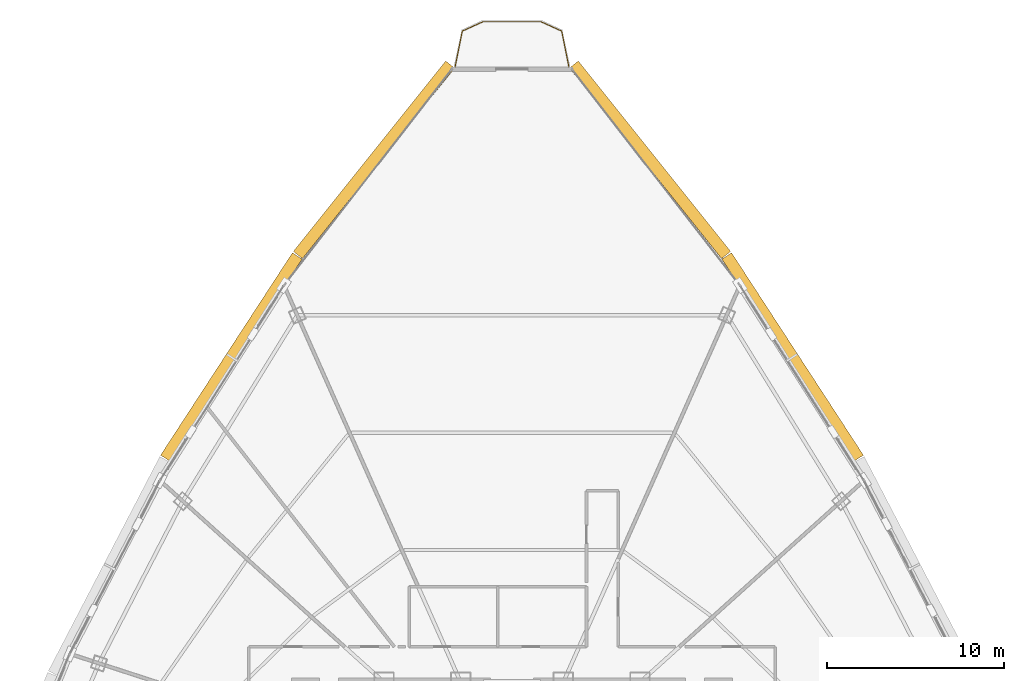
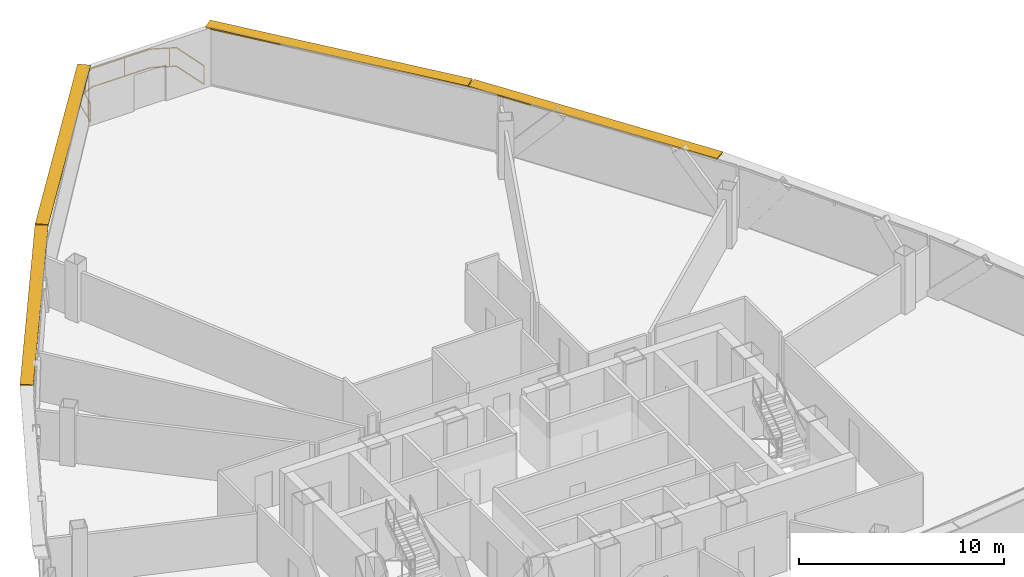
# One storey, part 35 of 35: 4 shading devices, 1 railing.
"""IFC4 building model written with IfcOpenShell, lengths in metres."""

from ifc_helpers import new_model, si_unit, direction, frame, origin, origin_2d, place, context, subcontext, project, spatial, rectangle, extrude, source, transform, mapped, material, layer, layer_set, type_object, element, save


model = new_model("IFC4")

# Units and contexts
model_context = context("Model", 3, precision=1e-05, world=origin(), true_north=direction((0.0, 1.0)))
body_context = subcontext(model_context, "Body", "Model", "MODEL_VIEW")
ifc_project = project(units=[si_unit("LENGTHUNIT", "METRE"), si_unit("AREAUNIT", "SQUARE_METRE"), si_unit("VOLUMEUNIT", "CUBIC_METRE"), si_unit("PLANEANGLEUNIT", "RADIAN"), si_unit("MASSUNIT", "GRAM", prefix="KILO"), si_unit("THERMODYNAMICTEMPERATUREUNIT", "KELVIN"), si_unit("POWERUNIT", "WATT")], contexts=[model_context])

# Site, building, storey
site_placement = place(None, origin())
site = spatial("IfcSite", under=ifc_project, at=site_placement, CompositionType="ELEMENT")
building_placement = place(site_placement, origin())
building = spatial("IfcBuilding", under=site, at=building_placement, Name="Yunzhuo Pagoda Commons", CompositionType="ELEMENT")
storey_placement = place(building_placement, frame((0.0, 0.0, 303.669921875)))
storey = spatial("IfcBuildingStorey", under=building, at=storey_placement, Name="L76", CompositionType="ELEMENT", Elevation=303.669921875)

# Railing
ifc_material = material(Name="Anodized aluminium 6063-T6", Category="aluminium")
railing_type = type_object("IfcRailingType", Name="RL-BAL1 Exterior Terrace & Balcony Balustrade 1150", PredefinedType="BALUSTRADE", material=ifc_material)
railing_placement = place(storey_placement, frame((51.207763671875, 74.918212890625, 0.0)))
element("IfcRailing", 1, at=railing_placement, inside=storey, type_object=railing_type, Name="L76 corner balcony balustrade V3", PredefinedType="BALUSTRADE", context=body_context, shape_type="SweptSolid", body=[
    extrude(rectangle(XDim=0.048095703125, YDim=0.048095703125, at=origin_2d()), frame((0.0, 0.0, 1.1259765625), z_axis=(-0.194223156668, 0.980957371864, 0.0), x_axis=(-0.980957371864, -0.194223156668, 0.0)), (0.0, 0.0, 1.0), 2.05908203125),
    extrude(rectangle(XDim=0.048095703125, YDim=0.048095703125, at=origin_2d()), frame((0.0, 0.0, 0.02392578125), z_axis=(-0.194223156668, 0.980957371864, 0.0), x_axis=(-0.980957371864, -0.194223156668, 0.0)), (0.0, 0.0, 1.0), 2.05908203125),
    extrude(rectangle(XDim=0.048095703125, YDim=0.048095703125, at=origin_2d()), frame((-0.39990234375, 2.019775390625, 1.1259765625), z_axis=(-0.910098275253, 0.414392482293, 0.0), x_axis=(-0.414392482293, -0.910098275253, 0.0)), (0.0, 0.0, 1.0), 1.279052734375),
    extrude(rectangle(XDim=0.048095703125, YDim=0.048095703125, at=origin_2d()), frame((-0.39990234375, 2.019775390625, 0.02392578125), z_axis=(-0.910098275253, 0.414392482293, 0.0), x_axis=(-0.414392482293, -0.910098275253, 0.0)), (0.0, 0.0, 1.0), 1.279052734375),
    extrude(rectangle(XDim=0.048095703125, YDim=0.048095703125, at=origin_2d()), frame((-1.56396484375, 2.5498046875, 1.1259765625), z_axis=(-1.0, 0.0, 0.0), x_axis=(0.0, -1.0, 0.0)), (0.0, 0.0, 1.0), 3.28759765625),
    extrude(rectangle(XDim=0.048095703125, YDim=0.048095703125, at=origin_2d()), frame((-1.56396484375, 2.5498046875, 0.02392578125), z_axis=(-1.0, 0.0, 0.0), x_axis=(0.0, -1.0, 0.0)), (0.0, 0.0, 1.0), 3.28759765625),
    extrude(rectangle(XDim=0.048095703125, YDim=0.048095703125, at=origin_2d()), frame((-4.8515625, 2.5498046875, 1.1259765625), z_axis=(-0.910098275253, -0.414392482293, 0.0), x_axis=(0.414392482293, -0.910098275253, 0.0)), (0.0, 0.0, 1.0), 1.279052734375),
    extrude(rectangle(XDim=0.048095703125, YDim=0.048095703125, at=origin_2d()), frame((-4.8515625, 2.5498046875, 0.02392578125), z_axis=(-0.910098275253, -0.414392482293, 0.0), x_axis=(0.414392482293, -0.910098275253, 0.0)), (0.0, 0.0, 1.0), 1.279052734375),
    extrude(rectangle(XDim=0.048095703125, YDim=0.048095703125, at=origin_2d()), frame((-6.015625, 2.019775390625, 1.1259765625), z_axis=(-0.194223156668, -0.980957371864, 0.0), x_axis=(0.980957371864, -0.194223156668, 0.0)), (0.0, 0.0, 1.0), 2.05908203125),
    extrude(rectangle(XDim=0.048095703125, YDim=0.048095703125, at=origin_2d()), frame((-6.015625, 2.019775390625, 0.02392578125), z_axis=(-0.194223156668, -0.980957371864, 0.0), x_axis=(0.980957371864, -0.194223156668, 0.0)), (0.0, 0.0, 1.0), 2.05908203125),
    extrude(rectangle(XDim=0.0419921875, YDim=0.0419921875, at=origin_2d()), origin(), (0.0, 0.0, 1.0), 1.101806640625),
    extrude(rectangle(XDim=0.0419921875, YDim=0.0419921875, at=origin_2d()), frame((-0.710205078125, 2.1611328125, 0.0)), (0.0, 0.0, 1.0), 1.101806640625),
    extrude(rectangle(XDim=0.0419921875, YDim=0.0419921875, at=origin_2d()), frame((-3.02587890625, 2.5498046875, 0.0)), (0.0, 0.0, 1.0), 1.101806640625),
    extrude(rectangle(XDim=0.0419921875, YDim=0.0419921875, at=origin_2d()), frame((-5.374267578125, 2.311767578125, 0.0)), (0.0, 0.0, 1.0), 1.101806640625),
    extrude(rectangle(XDim=0.0419921875, YDim=0.0419921875, at=origin_2d()), frame((-6.344970703125, 0.356689453125, 0.0)), (0.0, 0.0, 1.0), 1.101806640625),
    extrude(rectangle(XDim=0.0419921875, YDim=0.0419921875, at=origin_2d()), frame((-6.41552734375, 0.0, 0.0)), (0.0, 0.0, 1.0), 1.101806640625),
])

# Shading devices
ifc_layer = layer(ifc_material, 0.080078125)
ifc_layer_set = layer_set([ifc_layer], Name="Anodized aluminium 6063-T6")
shading_device_type = type_object("IfcShadingDeviceType", Name="SH-SUN1 Pagoda Horizontal Sunshade Eave 650", PredefinedType="USERDEFINED", material=ifc_layer_set)
shared_shape_1 = source(origin(), body_context, "Body", "SweptSolid", [
    extrude(rectangle(XDim=13.7578125, YDim=0.64990234375, at=origin_2d()), origin(), (0.0, 0.0, 1.0), 0.080078125),
])
for number, where, z_axis, x_axis, name in (
    (2, (55.78369140625, 69.679931640625, 3.39013671875), (0.0, 0.0, 1.0), (-0.624520471688, 0.781008438138, 0.0), "L76 horizontal pagoda sunshade eave F2.4"),
    (3, (40.21630859375, 69.679931640625, 3.39013671875), (0.0, 0.0, 1.0), (-0.624520471688, -0.781008438138, 0.0), "L76 horizontal pagoda sunshade eave F3.1"),
):
    element("IfcShadingDevice", number, at=place(storey_placement, frame(where, z_axis=z_axis, x_axis=x_axis)), inside=storey, type_object=shading_device_type, Name=name, ObjectType="SUNSHADE", PredefinedType="USERDEFINED", context=body_context, shape_type="MappedRepresentation", body=[
        mapped(shared_shape_1, transform((0.0, 0.0, 0.0), scale=1.0)),
    ])
shared_shape_2 = source(origin(), body_context, "Body", "SweptSolid", [
    extrude(rectangle(XDim=13.626953125, YDim=0.64990234375, at=origin_2d()), origin(), (0.0, 0.0, 1.0), 0.080078125),
])
for number, where, z_axis, x_axis, name in (
    (4, (63.8359375, 58.547119140625, 3.39013671875), (0.0, 0.0, 1.0), (-0.545853380833, 0.837880711458, 0.0), "L76 horizontal pagoda sunshade eave F2.3"),
    (5, (32.1640625, 58.547119140625, 3.39013671875), (0.0, 0.0, 1.0), (-0.545853380833, -0.837880711458, 0.0), "L76 horizontal pagoda sunshade eave F3.2"),
):
    element("IfcShadingDevice", number, at=place(storey_placement, frame(where, z_axis=z_axis, x_axis=x_axis)), inside=storey, type_object=shading_device_type, Name=name, ObjectType="SUNSHADE", PredefinedType="USERDEFINED", context=body_context, shape_type="MappedRepresentation", body=[
        mapped(shared_shape_2, transform((0.0, 0.0, 0.0), scale=1.0)),
    ])

save(model, "model.ifc")
